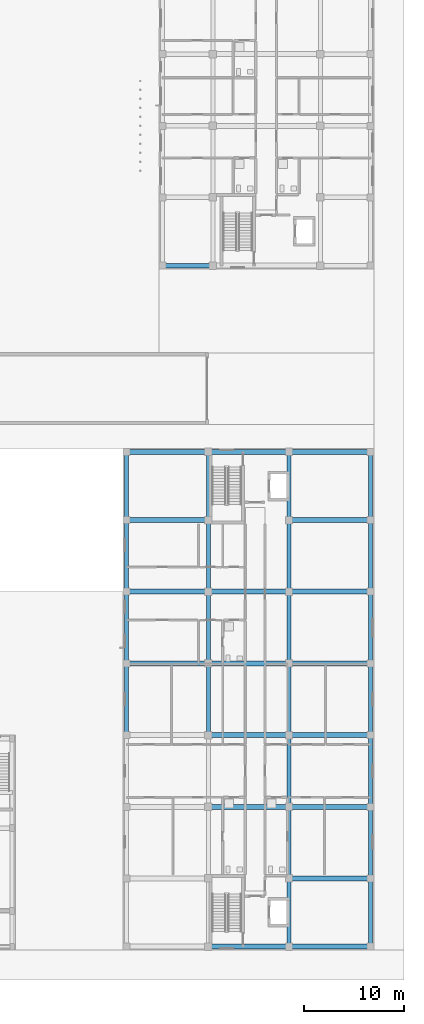
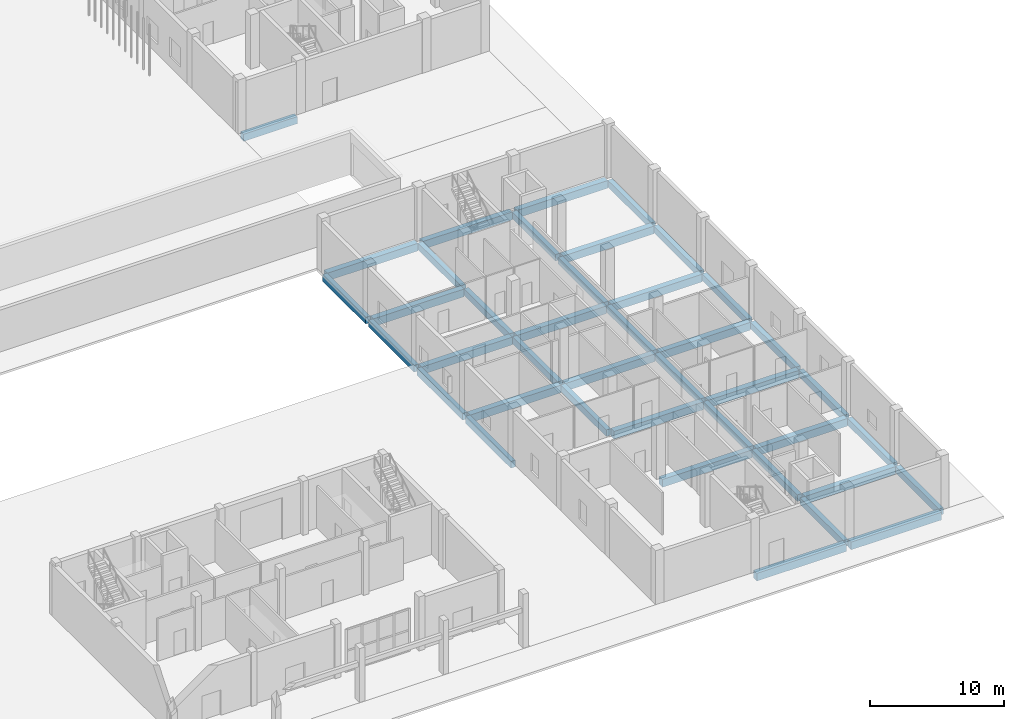
# One storey, part 24 of 85: 41 beams.
"""IFC4 building model written with IfcOpenShell, lengths in metres."""

from ifc_helpers import new_model, si_unit, derived_unit, direction, frame, origin, origin_2d, place, context, subcontext, project, spatial, rectangle, extrude, material, material_profile, profile_set, type_object, element, save


model = new_model("IFC4")

# Units and contexts
model_context = context("Model", 3, precision=1e-05, world=origin(), true_north=direction((0.0, 1.0)))
body_context = subcontext(model_context, "Body", "Model", "MODEL_VIEW")
ifc_project = project(units=[si_unit("LENGTHUNIT", "METRE"), si_unit("AREAUNIT", "SQUARE_METRE"), si_unit("VOLUMEUNIT", "CUBIC_METRE"), si_unit("PLANEANGLEUNIT", "RADIAN"), si_unit("MASSUNIT", "GRAM", prefix="KILO"), derived_unit("THERMALTRANSMITTANCEUNIT", [(si_unit("MASSUNIT", "GRAM", prefix="KILO"), 1), (si_unit("TIMEUNIT", "SECOND"), -3), (si_unit("THERMODYNAMICTEMPERATUREUNIT", "KELVIN"), -1)])], contexts=[model_context])

# Site, building, storey
site_placement = place(None, origin())
site = spatial("IfcSite", under=ifc_project, at=site_placement, CompositionType="ELEMENT")
building_placement = place(site_placement, origin())
building = spatial("IfcBuilding", under=site, at=building_placement, Name="Ochrekiln Boulevard Commons", CompositionType="ELEMENT")
storey_placement = place(building_placement, origin())
storey = spatial("IfcBuildingStorey", under=building, at=storey_placement, Name="L00", CompositionType="ELEMENT", Elevation=0.0)

# Beams
ifc_material_1 = material(Name="Concrete C35/45", Category="concrete")
ifc_material_profile_1 = material_profile(ifc_material_1, rectangle(XDim=0.39990234375, YDim=0.60009765625, at=origin_2d()), Name="RC-BM-400x600")
ifc_profile_set_1 = profile_set([ifc_material_profile_1], Name="Concrete C35/45")
beam_type_1 = type_object("IfcBeamType", Name="BM-RC-400x600", PredefinedType="BEAM", material=ifc_profile_set_1)
for number, where, z_axis, x_axis, name in (
    (1, (147.949951171875, 21.81005859375, -0.580078125), (0.0, 1.0, 0.0), (-1.0, 0.0, 0.0), "Block C L00 Beam B-4060 Y26"),
    (2, (147.949951171875, 29.010009765625, -0.580078125), (0.0, 1.0, 0.0), (-1.0, 0.0, 0.0), "Block C L00 Beam B-4060 Y27"),
    (3, (147.949951171875, 36.2099609375, -0.580078125), (0.0, 1.0, 0.0), (-1.0, 0.0, 0.0), "Block C L00 Beam B-4060 Y28"),
):
    element("IfcBeam", number, at=place(storey_placement, frame(where, z_axis=z_axis, x_axis=x_axis)), inside=storey, type_object=beam_type_1, Name=name, PredefinedType="BEAM", context=body_context, shape_type="SweptSolid", body=[
        extrude(rectangle(XDim=0.39990234375, YDim=0.60009765625, at=origin_2d()), origin(), (0.0, 0.0, 1.0), 6.780029296875),
    ])
beam_1_placement = place(storey_placement, frame((147.949951171875, 43.409912109375, -0.580078125), z_axis=(0.0, 1.0, 0.0), x_axis=(-1.0, 0.0, 0.0)))
element("IfcBeam", 4, at=beam_1_placement, inside=storey, type_object=beam_type_1, Name="Block C L00 Beam B-4060 Y29", PredefinedType="BEAM", context=body_context, shape_type="SweptSolid", body=[
    extrude(rectangle(XDim=0.39990234375, YDim=0.60009765625, at=origin_2d()), origin(), (0.0, 0.0, 1.0), 6.43017578125),
])
for number, where, z_axis, x_axis, name in (
    (5, (156.14990234375, 21.81005859375, -0.580078125), (0.0, 1.0, 0.0), (-1.0, 0.0, 0.0), "Block C L00 Beam B-4060 Y33"),
    (6, (156.14990234375, 29.010009765625, -0.580078125), (0.0, 1.0, 0.0), (-1.0, 0.0, 0.0), "Block C L00 Beam B-4060 Y34"),
    (7, (156.14990234375, 36.2099609375, -0.580078125), (0.0, 1.0, 0.0), (-1.0, 0.0, 0.0), "Block C L00 Beam B-4060 Y35"),
):
    element("IfcBeam", number, at=place(storey_placement, frame(where, z_axis=z_axis, x_axis=x_axis)), inside=storey, type_object=beam_type_1, Name=name, PredefinedType="BEAM", context=body_context, shape_type="SweptSolid", body=[
        extrude(rectangle(XDim=0.39990234375, YDim=0.60009765625, at=origin_2d()), origin(), (0.0, 0.0, 1.0), 6.780029296875),
    ])
beam_2_placement = place(storey_placement, frame((156.14990234375, 43.409912109375, -0.580078125), z_axis=(0.0, 1.0, 0.0), x_axis=(-1.0, 0.0, 0.0)))
element("IfcBeam", 8, at=beam_2_placement, inside=storey, type_object=beam_type_1, Name="Block C L00 Beam B-4060 Y36", PredefinedType="BEAM", context=body_context, shape_type="SweptSolid", body=[
    extrude(rectangle(XDim=0.39990234375, YDim=0.60009765625, at=origin_2d()), origin(), (0.0, 0.0, 1.0), 6.43017578125),
])
beam_3_placement = place(storey_placement, frame((164.25, 0.56005859375, -0.580078125), z_axis=(0.0, 1.0, 0.0), x_axis=(-1.0, 0.0, 0.0)))
element("IfcBeam", 9, at=beam_3_placement, inside=storey, type_object=beam_type_1, Name="Block C L00 Beam B-4060 Y37", PredefinedType="BEAM", context=body_context, shape_type="SweptSolid", body=[
    extrude(rectangle(XDim=0.39990234375, YDim=0.60009765625, at=origin_2d()), origin(), (0.0, 0.0, 1.0), 6.429931640625),
])
beam_4_placement = place(storey_placement, frame((164.25, 7.409912109375, -0.580078125), z_axis=(0.0, 1.0, 0.0), x_axis=(-1.0, 0.0, 0.0)))
element("IfcBeam", 10, at=beam_4_placement, inside=storey, type_object=beam_type_1, Name="Block C L00 Beam B-4060 Y38", PredefinedType="BEAM", context=body_context, shape_type="SweptSolid", body=[
    extrude(rectangle(XDim=0.39990234375, YDim=0.60009765625, at=origin_2d()), origin(), (0.0, 0.0, 1.0), 6.780029296875),
])
beam_5_placement = place(storey_placement, frame((164.25, 14.610107421875, -0.580078125), z_axis=(0.0, 1.0, 0.0), x_axis=(-1.0, 0.0, 0.0)))
element("IfcBeam", 11, at=beam_5_placement, inside=storey, type_object=beam_type_1, Name="Block C L00 Beam B-4060 Y39", PredefinedType="BEAM", context=body_context, shape_type="SweptSolid", body=[
    extrude(rectangle(XDim=0.39990234375, YDim=0.60009765625, at=origin_2d()), origin(), (0.0, 0.0, 1.0), 6.77978515625),
])
for number, where, z_axis, x_axis, name in (
    (12, (164.25, 21.81005859375, -0.580078125), (0.0, 1.0, 0.0), (-1.0, 0.0, 0.0), "Block C L00 Beam B-4060 Y40"),
    (13, (164.25, 29.010009765625, -0.580078125), (0.0, 1.0, 0.0), (-1.0, 0.0, 0.0), "Block C L00 Beam B-4060 Y41"),
    (14, (164.25, 36.2099609375, -0.580078125), (0.0, 1.0, 0.0), (-1.0, 0.0, 0.0), "Block C L00 Beam B-4060 Y42"),
):
    element("IfcBeam", number, at=place(storey_placement, frame(where, z_axis=z_axis, x_axis=x_axis)), inside=storey, type_object=beam_type_1, Name=name, PredefinedType="BEAM", context=body_context, shape_type="SweptSolid", body=[
        extrude(rectangle(XDim=0.39990234375, YDim=0.60009765625, at=origin_2d()), origin(), (0.0, 0.0, 1.0), 6.780029296875),
    ])
beam_6_placement = place(storey_placement, frame((164.25, 43.409912109375, -0.580078125), z_axis=(0.0, 1.0, 0.0), x_axis=(-1.0, 0.0, 0.0)))
element("IfcBeam", 15, at=beam_6_placement, inside=storey, type_object=beam_type_1, Name="Block C L00 Beam B-4060 Y43", PredefinedType="BEAM", context=body_context, shape_type="SweptSolid", body=[
    extrude(rectangle(XDim=0.39990234375, YDim=0.60009765625, at=origin_2d()), origin(), (0.0, 0.0, 1.0), 6.43017578125),
])
beam_7_placement = place(storey_placement, frame((172.449951171875, 0.56005859375, -0.580078125), z_axis=(0.0, 1.0, 0.0), x_axis=(-1.0, 0.0, 0.0)))
element("IfcBeam", 16, at=beam_7_placement, inside=storey, type_object=beam_type_1, Name="Block C L00 Beam B-4060 Y44", PredefinedType="BEAM", context=body_context, shape_type="SweptSolid", body=[
    extrude(rectangle(XDim=0.39990234375, YDim=0.60009765625, at=origin_2d()), origin(), (0.0, 0.0, 1.0), 6.429931640625),
])
beam_8_placement = place(storey_placement, frame((172.449951171875, 7.409912109375, -0.580078125), z_axis=(0.0, 1.0, 0.0), x_axis=(-1.0, 0.0, 0.0)))
element("IfcBeam", 17, at=beam_8_placement, inside=storey, type_object=beam_type_1, Name="Block C L00 Beam B-4060 Y45", PredefinedType="BEAM", context=body_context, shape_type="SweptSolid", body=[
    extrude(rectangle(XDim=0.39990234375, YDim=0.60009765625, at=origin_2d()), origin(), (0.0, 0.0, 1.0), 6.780029296875),
])
beam_9_placement = place(storey_placement, frame((172.449951171875, 14.610107421875, -0.580078125), z_axis=(0.0, 1.0, 0.0), x_axis=(-1.0, 0.0, 0.0)))
element("IfcBeam", 18, at=beam_9_placement, inside=storey, type_object=beam_type_1, Name="Block C L00 Beam B-4060 Y46", PredefinedType="BEAM", context=body_context, shape_type="SweptSolid", body=[
    extrude(rectangle(XDim=0.39990234375, YDim=0.60009765625, at=origin_2d()), origin(), (0.0, 0.0, 1.0), 6.77978515625),
])
for number, where, z_axis, x_axis, name in (
    (19, (172.449951171875, 21.81005859375, -0.580078125), (0.0, 1.0, 0.0), (-1.0, 0.0, 0.0), "Block C L00 Beam B-4060 Y47"),
    (20, (172.449951171875, 29.010009765625, -0.580078125), (0.0, 1.0, 0.0), (-1.0, 0.0, 0.0), "Block C L00 Beam B-4060 Y48"),
    (21, (172.449951171875, 36.2099609375, -0.580078125), (0.0, 1.0, 0.0), (-1.0, 0.0, 0.0), "Block C L00 Beam B-4060 Y49"),
):
    element("IfcBeam", number, at=place(storey_placement, frame(where, z_axis=z_axis, x_axis=x_axis)), inside=storey, type_object=beam_type_1, Name=name, PredefinedType="BEAM", context=body_context, shape_type="SweptSolid", body=[
        extrude(rectangle(XDim=0.39990234375, YDim=0.60009765625, at=origin_2d()), origin(), (0.0, 0.0, 1.0), 6.780029296875),
    ])
beam_10_placement = place(storey_placement, frame((172.449951171875, 43.409912109375, -0.580078125), z_axis=(0.0, 1.0, 0.0), x_axis=(-1.0, 0.0, 0.0)))
element("IfcBeam", 22, at=beam_10_placement, inside=storey, type_object=beam_type_1, Name="Block C L00 Beam B-4060 Y50", PredefinedType="BEAM", context=body_context, shape_type="SweptSolid", body=[
    extrude(rectangle(XDim=0.39990234375, YDim=0.60009765625, at=origin_2d()), origin(), (0.0, 0.0, 1.0), 6.43017578125),
])
ifc_material_profile_2 = material_profile(ifc_material_1, rectangle(XDim=0.449951171875, YDim=0.64990234375, at=origin_2d()), Name="RC-BM-450x650")
ifc_profile_set_2 = profile_set([ifc_material_profile_2], Name="Concrete C35/45")
beam_type_2 = type_object("IfcBeamType", Name="BM-RC-450x650", PredefinedType="BEAM", material=ifc_profile_set_2)
beam_11_placement = place(storey_placement, frame((151.760009765625, 68.75, -0.60498046875), z_axis=(1.0, 0.0, 0.0), x_axis=(0.0, 1.0, 0.0)))
element("IfcBeam", 23, at=beam_11_placement, inside=storey, type_object=beam_type_2, Name="Block B L00 Beam B-4565 X1", PredefinedType="BEAM", context=body_context, shape_type="SweptSolid", body=[
    extrude(rectangle(XDim=0.449951171875, YDim=0.64990234375, at=origin_2d()), origin(), (0.0, 0.0, 1.0), 4.6298828125),
])
ifc_material_2 = material(Name="Concrete C40/50", Category="concrete")
ifc_material_profile_3 = material_profile(ifc_material_2, rectangle(XDim=0.5, YDim=0.699951171875, at=origin_2d()), Name="RC-BM-500x700")
ifc_profile_set_3 = profile_set([ifc_material_profile_3], Name="Concrete C40/50")
beam_type_3 = type_object("IfcBeamType", Name="BM-RC-500x700", PredefinedType="BEAM", material=ifc_profile_set_3)
beam_12_placement = place(storey_placement, frame((156.360107421875, 0.35009765625, -0.6298828125), z_axis=(1.0, 0.0, 0.0), x_axis=(0.0, 1.0, 0.0)))
element("IfcBeam", 24, at=beam_12_placement, inside=storey, type_object=beam_type_3, Name="Block C L00 Beam B-5070 X2", PredefinedType="BEAM", context=body_context, shape_type="SweptSolid", body=[
    extrude(rectangle(XDim=0.5, YDim=0.699951171875, at=origin_2d()), origin(), (0.0, 0.0, 1.0), 7.679931640625),
])
for number, where, z_axis, x_axis, name in (
    (25, (164.4599609375, 0.35009765625, -0.6298828125), (1.0, 0.0, 0.0), (0.0, 1.0, 0.0), "Block C L00 Beam B-5070 X3"),
    (26, (164.4599609375, 7.199951171875, -0.6298828125), (1.0, 0.0, 0.0), (0.0, 1.0, 0.0), "Block C L00 Beam B-5070 X5"),
):
    element("IfcBeam", number, at=place(storey_placement, frame(where, z_axis=z_axis, x_axis=x_axis)), inside=storey, type_object=beam_type_3, Name=name, PredefinedType="BEAM", context=body_context, shape_type="SweptSolid", body=[
        extrude(rectangle(XDim=0.5, YDim=0.699951171875, at=origin_2d()), origin(), (0.0, 0.0, 1.0), 7.780029296875),
    ])
beam_13_placement = place(storey_placement, frame((156.360107421875, 14.39990234375, -0.6298828125), z_axis=(1.0, 0.0, 0.0), x_axis=(0.0, 1.0, 0.0)))
element("IfcBeam", 27, at=beam_13_placement, inside=storey, type_object=beam_type_3, Name="Block C L00 Beam B-5070 X7", PredefinedType="BEAM", context=body_context, shape_type="SweptSolid", body=[
    extrude(rectangle(XDim=0.5, YDim=0.699951171875, at=origin_2d()), origin(), (0.0, 0.0, 1.0), 7.679931640625),
])
beam_14_placement = place(storey_placement, frame((164.4599609375, 14.39990234375, -0.6298828125), z_axis=(1.0, 0.0, 0.0), x_axis=(0.0, 1.0, 0.0)))
element("IfcBeam", 28, at=beam_14_placement, inside=storey, type_object=beam_type_3, Name="Block C L00 Beam B-5070 X8", PredefinedType="BEAM", context=body_context, shape_type="SweptSolid", body=[
    extrude(rectangle(XDim=0.5, YDim=0.699951171875, at=origin_2d()), origin(), (0.0, 0.0, 1.0), 7.780029296875),
])
beam_15_placement = place(storey_placement, frame((156.360107421875, 21.60009765625, -0.6298828125), z_axis=(1.0, 0.0, 0.0), x_axis=(0.0, 1.0, 0.0)))
element("IfcBeam", 29, at=beam_15_placement, inside=storey, type_object=beam_type_3, Name="Block C L00 Beam B-5070 X10", PredefinedType="BEAM", context=body_context, shape_type="SweptSolid", body=[
    extrude(rectangle(XDim=0.5, YDim=0.699951171875, at=origin_2d()), origin(), (0.0, 0.0, 1.0), 7.679931640625),
])
for number, where, z_axis, x_axis, name in (
    (30, (164.4599609375, 21.60009765625, -0.6298828125), (1.0, 0.0, 0.0), (0.0, 1.0, 0.0), "Block C L00 Beam B-5070 X11"),
    (31, (148.159912109375, 28.800048828125, -0.6298828125), (1.0, 0.0, 0.0), (0.0, 1.0, 0.0), "Block C L00 Beam B-5070 X12"),
):
    element("IfcBeam", number, at=place(storey_placement, frame(where, z_axis=z_axis, x_axis=x_axis)), inside=storey, type_object=beam_type_3, Name=name, PredefinedType="BEAM", context=body_context, shape_type="SweptSolid", body=[
        extrude(rectangle(XDim=0.5, YDim=0.699951171875, at=origin_2d()), origin(), (0.0, 0.0, 1.0), 7.780029296875),
    ])
beam_16_placement = place(storey_placement, frame((156.360107421875, 28.800048828125, -0.6298828125), z_axis=(1.0, 0.0, 0.0), x_axis=(0.0, 1.0, 0.0)))
element("IfcBeam", 32, at=beam_16_placement, inside=storey, type_object=beam_type_3, Name="Block C L00 Beam B-5070 X13", PredefinedType="BEAM", context=body_context, shape_type="SweptSolid", body=[
    extrude(rectangle(XDim=0.5, YDim=0.699951171875, at=origin_2d()), origin(), (0.0, 0.0, 1.0), 7.679931640625),
])
for number, where, z_axis, x_axis, name in (
    (33, (164.4599609375, 28.800048828125, -0.6298828125), (1.0, 0.0, 0.0), (0.0, 1.0, 0.0), "Block C L00 Beam B-5070 X14"),
    (34, (148.159912109375, 36.0, -0.6298828125), (1.0, 0.0, 0.0), (0.0, 1.0, 0.0), "Block C L00 Beam B-5070 X15"),
):
    element("IfcBeam", number, at=place(storey_placement, frame(where, z_axis=z_axis, x_axis=x_axis)), inside=storey, type_object=beam_type_3, Name=name, PredefinedType="BEAM", context=body_context, shape_type="SweptSolid", body=[
        extrude(rectangle(XDim=0.5, YDim=0.699951171875, at=origin_2d()), origin(), (0.0, 0.0, 1.0), 7.780029296875),
    ])
beam_17_placement = place(storey_placement, frame((156.360107421875, 36.0, -0.6298828125), z_axis=(1.0, 0.0, 0.0), x_axis=(0.0, 1.0, 0.0)))
element("IfcBeam", 35, at=beam_17_placement, inside=storey, type_object=beam_type_3, Name="Block C L00 Beam B-5070 X16", PredefinedType="BEAM", context=body_context, shape_type="SweptSolid", body=[
    extrude(rectangle(XDim=0.5, YDim=0.699951171875, at=origin_2d()), origin(), (0.0, 0.0, 1.0), 7.679931640625),
])
for number, where, z_axis, x_axis, name in (
    (36, (164.4599609375, 36.0, -0.6298828125), (1.0, 0.0, 0.0), (0.0, 1.0, 0.0), "Block C L00 Beam B-5070 X17"),
    (37, (148.159912109375, 43.199951171875, -0.6298828125), (1.0, 0.0, 0.0), (0.0, 1.0, 0.0), "Block C L00 Beam B-5070 X18"),
    (38, (164.4599609375, 43.199951171875, -0.6298828125), (1.0, 0.0, 0.0), (0.0, 1.0, 0.0), "Block C L00 Beam B-5070 X19"),
    (39, (148.159912109375, 50.050048828125, -0.6298828125), (1.0, 0.0, 0.0), (0.0, 1.0, 0.0), "Block C L00 Beam B-5070 X20"),
):
    element("IfcBeam", number, at=place(storey_placement, frame(where, z_axis=z_axis, x_axis=x_axis)), inside=storey, type_object=beam_type_3, Name=name, PredefinedType="BEAM", context=body_context, shape_type="SweptSolid", body=[
        extrude(rectangle(XDim=0.5, YDim=0.699951171875, at=origin_2d()), origin(), (0.0, 0.0, 1.0), 7.780029296875),
    ])
beam_18_placement = place(storey_placement, frame((156.360107421875, 50.050048828125, -0.6298828125), z_axis=(1.0, 0.0, 0.0), x_axis=(0.0, 1.0, 0.0)))
element("IfcBeam", 40, at=beam_18_placement, inside=storey, type_object=beam_type_3, Name="Block C L00 Beam B-5070 X21", PredefinedType="BEAM", context=body_context, shape_type="SweptSolid", body=[
    extrude(rectangle(XDim=0.5, YDim=0.699951171875, at=origin_2d()), origin(), (0.0, 0.0, 1.0), 7.679931640625),
])
beam_19_placement = place(storey_placement, frame((164.4599609375, 50.050048828125, -0.6298828125), z_axis=(1.0, 0.0, 0.0), x_axis=(0.0, 1.0, 0.0)))
element("IfcBeam", 41, at=beam_19_placement, inside=storey, type_object=beam_type_3, Name="Block C L00 Beam B-5070 X22", PredefinedType="BEAM", context=body_context, shape_type="SweptSolid", body=[
    extrude(rectangle(XDim=0.5, YDim=0.699951171875, at=origin_2d()), origin(), (0.0, 0.0, 1.0), 7.780029296875),
])

save(model, "model.ifc")
